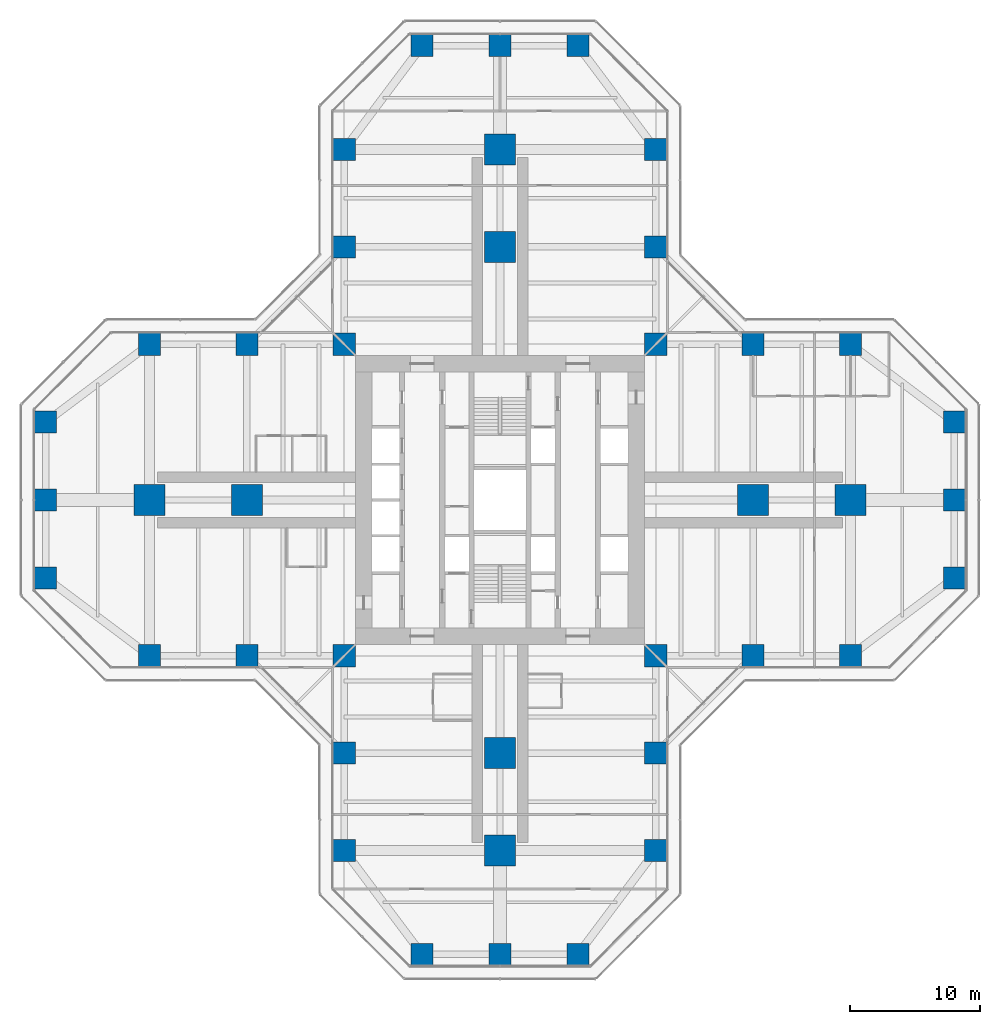
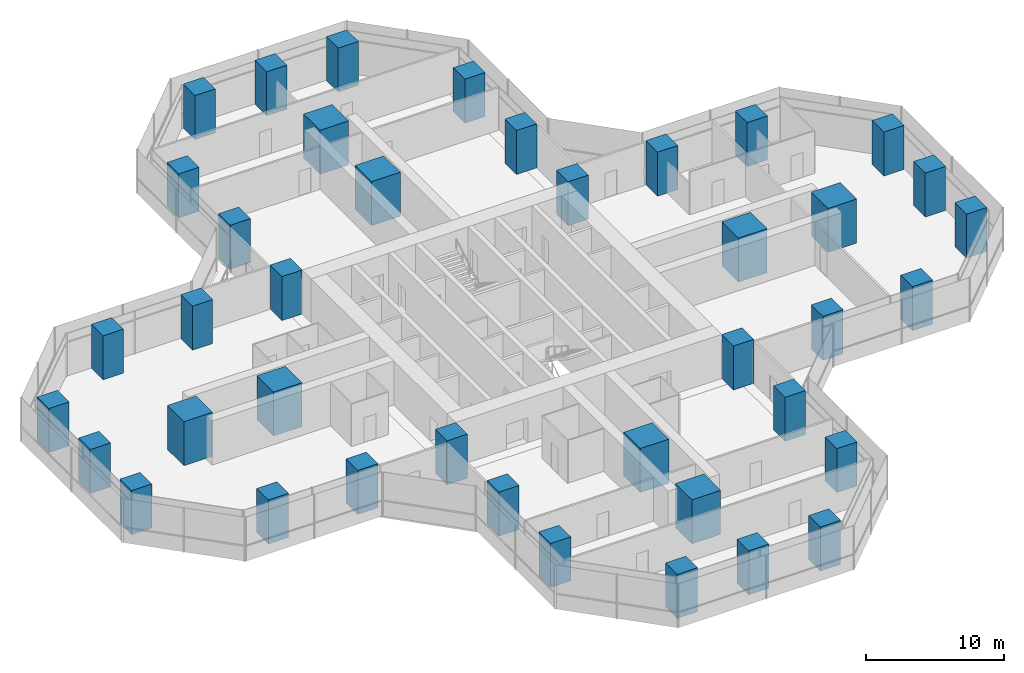
# One storey, part 1 of 22: 40 columns.
"""IFC4 building model written with IfcOpenShell, lengths in metres."""

from ifc_helpers import new_model, si_unit, direction, frame, origin, origin_2d, place, context, subcontext, project, spatial, rectangle, extrude, material, material_profile, profile_set, type_object, element, save


model = new_model("IFC4")

# Units and contexts
model_context = context("Model", 3, precision=1e-05, world=origin(), true_north=direction((0.0, 1.0)))
body_context = subcontext(model_context, "Body", "Model", "MODEL_VIEW")
ifc_project = project(units=[si_unit("LENGTHUNIT", "METRE"), si_unit("AREAUNIT", "SQUARE_METRE"), si_unit("VOLUMEUNIT", "CUBIC_METRE"), si_unit("PLANEANGLEUNIT", "RADIAN"), si_unit("MASSUNIT", "GRAM", prefix="KILO")], contexts=[model_context])

# Site, building, storey
site_placement = place(None, origin())
site = spatial("IfcSite", under=ifc_project, at=site_placement, CompositionType="ELEMENT")
building_placement = place(site_placement, origin())
building = spatial("IfcBuilding", under=site, at=building_placement, Name="Mizan Broadcast Tower", CompositionType="ELEMENT")
storey_placement = place(building_placement, frame((0.0, 0.0, 90.300048828125)))
storey = spatial("IfcBuildingStorey", under=building, at=storey_placement, Name="L19", CompositionType="ELEMENT", Elevation=90.300048828125)

# Columns
ifc_material_1 = material(Name="Concrete C70/85", Category="concrete")
ifc_material_profile_1 = material_profile(ifc_material_1, rectangle(XDim=1.699951171875, YDim=1.699951171875, at=origin_2d()), Name="RC 1700x1700")
ifc_profile_set_1 = profile_set([ifc_material_profile_1], Name="Concrete C70/85")
column_type_1 = type_object("IfcColumnType", Name="RC COLUMN 1700x1700 C70/85", PredefinedType="COLUMN", material=ifc_profile_set_1)
for number, where, z_axis, x_axis, name in (
    (1, (-6.0, -35.0, 0.0), (0.0, 0.0, 1.0), (1.0, 0.0, 0.0), "Column 5/A L19"),
    (2, (0.0, -35.0, 0.0), (0.0, 0.0, 1.0), (1.0, 0.0, 0.0), "Column 6/A L19"),
    (3, (6.0, -35.0, 0.0), (0.0, 0.0, 1.0), (1.0, 0.0, 0.0), "Column 7/A L19"),
    (4, (-12.0, -27.0, 0.0), (0.0, 0.0, 1.0), (1.0, 0.0, 0.0), "Column 4/B L19"),
    (5, (12.0, -27.0, 0.0), (0.0, 0.0, 1.0), (1.0, 0.0, 0.0), "Column 8/B L19"),
    (6, (-12.0, -19.5, 0.0), (0.0, 0.0, 1.0), (1.0, 0.0, 0.0), "Column 4/C L19"),
    (7, (12.0, -19.5, 0.0), (0.0, 0.0, 1.0), (1.0, 0.0, 0.0), "Column 8/C L19"),
    (8, (-27.0, -12.0, 0.0), (0.0, 0.0, 1.0), (1.0, 0.0, 0.0), "Column 2/D L19"),
    (9, (-19.5, -12.0, 0.0), (0.0, 0.0, 1.0), (1.0, 0.0, 0.0), "Column 3/D L19"),
    (10, (-12.0, -12.0, 0.0), (0.0, 0.0, 1.0), (1.0, 0.0, 0.0), "Column 4/D L19"),
    (11, (12.0, -12.0, 0.0), (0.0, 0.0, 1.0), (1.0, 0.0, 0.0), "Column 8/D L19"),
    (12, (19.5, -12.0, 0.0), (0.0, 0.0, 1.0), (1.0, 0.0, 0.0), "Column 9/D L19"),
    (13, (27.0, -12.0, 0.0), (0.0, 0.0, 1.0), (1.0, 0.0, 0.0), "Column 10/D L19"),
    (14, (-35.0, -6.0, 0.0), (0.0, 0.0, 1.0), (1.0, 0.0, 0.0), "Column 1/E L19"),
    (15, (35.0, -6.0, 0.0), (0.0, 0.0, 1.0), (1.0, 0.0, 0.0), "Column 11/E L19"),
    (16, (-35.0, 0.0, 0.0), (0.0, 0.0, 1.0), (1.0, 0.0, 0.0), "Column 1/F L19"),
    (17, (35.0, 0.0, 0.0), (0.0, 0.0, 1.0), (1.0, 0.0, 0.0), "Column 11/F L19"),
    (18, (-35.0, 6.0, 0.0), (0.0, 0.0, 1.0), (1.0, 0.0, 0.0), "Column 1/G L19"),
    (19, (35.0, 6.0, 0.0), (0.0, 0.0, 1.0), (1.0, 0.0, 0.0), "Column 11/G L19"),
    (20, (-27.0, 12.0, 0.0), (0.0, 0.0, 1.0), (1.0, 0.0, 0.0), "Column 2/H L19"),
    (21, (-19.5, 12.0, 0.0), (0.0, 0.0, 1.0), (1.0, 0.0, 0.0), "Column 3/H L19"),
    (22, (-12.0, 12.0, 0.0), (0.0, 0.0, 1.0), (1.0, 0.0, 0.0), "Column 4/H L19"),
    (23, (12.0, 12.0, 0.0), (0.0, 0.0, 1.0), (1.0, 0.0, 0.0), "Column 8/H L19"),
    (24, (19.5, 12.0, 0.0), (0.0, 0.0, 1.0), (1.0, 0.0, 0.0), "Column 9/H L19"),
    (25, (27.0, 12.0, 0.0), (0.0, 0.0, 1.0), (1.0, 0.0, 0.0), "Column 10/H L19"),
    (26, (-12.0, 19.5, 0.0), (0.0, 0.0, 1.0), (1.0, 0.0, 0.0), "Column 4/J L19"),
    (27, (12.0, 19.5, 0.0), (0.0, 0.0, 1.0), (1.0, 0.0, 0.0), "Column 8/J L19"),
    (28, (-12.0, 27.0, 0.0), (0.0, 0.0, 1.0), (1.0, 0.0, 0.0), "Column 4/K L19"),
    (29, (12.0, 27.0, 0.0), (0.0, 0.0, 1.0), (1.0, 0.0, 0.0), "Column 8/K L19"),
    (30, (-6.0, 35.0, 0.0), (0.0, 0.0, 1.0), (1.0, 0.0, 0.0), "Column 5/L L19"),
    (31, (0.0, 35.0, 0.0), (0.0, 0.0, 1.0), (1.0, 0.0, 0.0), "Column 6/L L19"),
    (32, (6.0, 35.0, 0.0), (0.0, 0.0, 1.0), (1.0, 0.0, 0.0), "Column 7/L L19"),
):
    element("IfcColumn", number, at=place(storey_placement, frame(where, z_axis=z_axis, x_axis=x_axis)), inside=storey, type_object=column_type_1, Name=name, PredefinedType="COLUMN", context=body_context, shape_type="SweptSolid", body=[
        extrude(rectangle(XDim=1.699951171875, YDim=1.699951171875, at=origin_2d()), origin(), (0.0, 0.0, 1.0), 3.89990234375),
    ])
ifc_material_2 = material(Name="Concrete C70/85", Category="concrete")
ifc_material_profile_2 = material_profile(ifc_material_2, rectangle(XDim=2.39990234375, YDim=2.39990234375, at=origin_2d()), Name="RC 2400x2400")
ifc_profile_set_2 = profile_set([ifc_material_profile_2], Name="Concrete C70/85")
column_type_2 = type_object("IfcColumnType", Name="RC COLUMN 2400x2400 C70/85", PredefinedType="COLUMN", material=ifc_profile_set_2)
for number, where, z_axis, x_axis, name in (
    (33, (0.0, -27.0, 0.0), (0.0, 0.0, 1.0), (1.0, 0.0, 0.0), "Column 6/B L19"),
    (34, (0.0, -19.5, 0.0), (0.0, 0.0, 1.0), (1.0, 0.0, 0.0), "Column 6/C L19"),
    (35, (-27.0, 0.0, 0.0), (0.0, 0.0, 1.0), (1.0, 0.0, 0.0), "Column 2/F L19"),
    (36, (-19.5, 0.0, 0.0), (0.0, 0.0, 1.0), (1.0, 0.0, 0.0), "Column 3/F L19"),
    (37, (19.5, 0.0, 0.0), (0.0, 0.0, 1.0), (1.0, 0.0, 0.0), "Column 9/F L19"),
    (38, (27.0, 0.0, 0.0), (0.0, 0.0, 1.0), (1.0, 0.0, 0.0), "Column 10/F L19"),
    (39, (0.0, 19.5, 0.0), (0.0, 0.0, 1.0), (1.0, 0.0, 0.0), "Column 6/J L19"),
    (40, (0.0, 27.0, 0.0), (0.0, 0.0, 1.0), (1.0, 0.0, 0.0), "Column 6/K L19"),
):
    element("IfcColumn", number, at=place(storey_placement, frame(where, z_axis=z_axis, x_axis=x_axis)), inside=storey, type_object=column_type_2, Name=name, PredefinedType="COLUMN", context=body_context, shape_type="SweptSolid", body=[
        extrude(rectangle(XDim=2.39990234375, YDim=2.39990234375, at=origin_2d()), origin(), (0.0, 0.0, 1.0), 3.89990234375),
    ])

save(model, "model.ifc")
